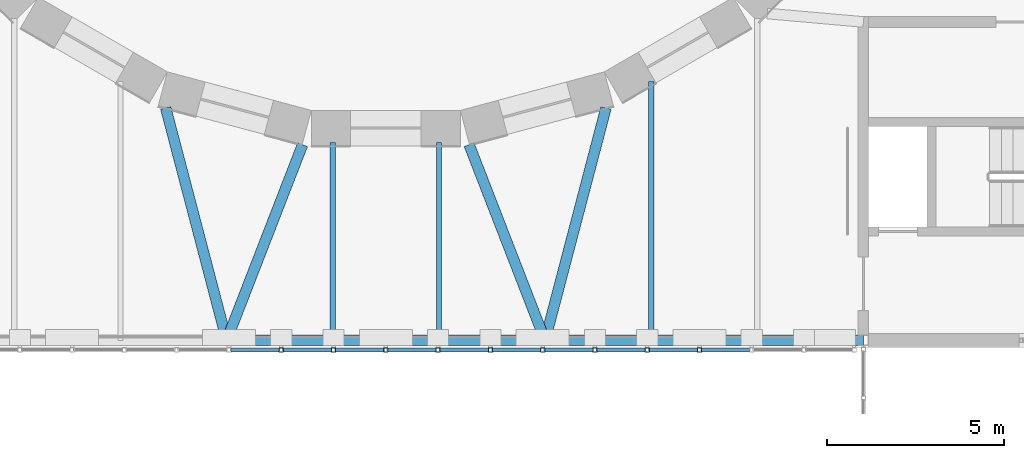
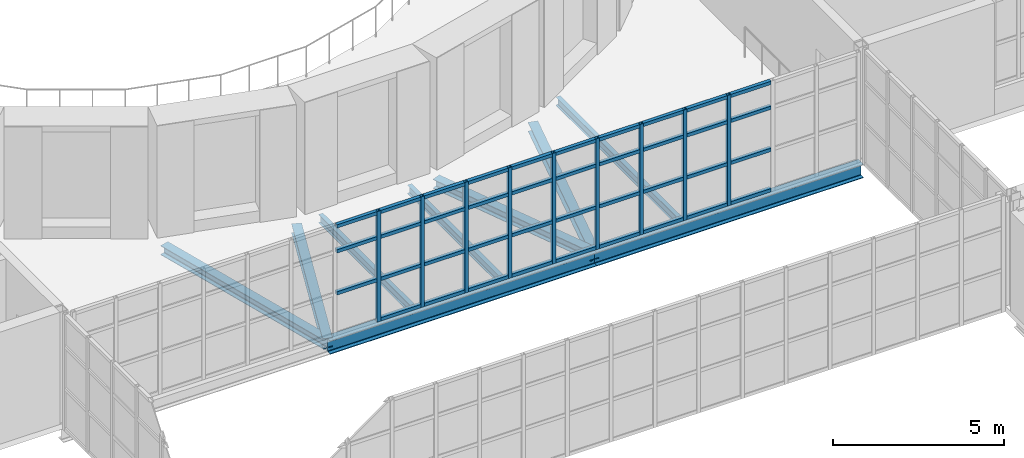
# One storey, part 43 of 154: 48 members, 9 beams, 1 element without a shape of its own.
"""IFC4 building model written with IfcOpenShell, lengths in metres."""

from ifc_helpers import new_model, si_unit, direction, frame, origin, origin_2d, place, context, subcontext, project, spatial, hollow_rectangle, i_section, extrude, material, material_profile, profile_set, type_object, element, aggregate, save


model = new_model("IFC4")

# Units and contexts
model_context = context("Model", 3, precision=1e-05, world=origin(), true_north=direction((0.0, 1.0)))
body_context = subcontext(model_context, "Body", "Model", "MODEL_VIEW")
ifc_project = project(units=[si_unit("LENGTHUNIT", "METRE"), si_unit("AREAUNIT", "SQUARE_METRE"), si_unit("VOLUMEUNIT", "CUBIC_METRE"), si_unit("PLANEANGLEUNIT", "RADIAN"), si_unit("MASSUNIT", "GRAM", prefix="KILO")], contexts=[model_context])

# Site, building, storey
site_placement = place(None, origin())
site = spatial("IfcSite", under=ifc_project, at=site_placement, CompositionType="ELEMENT")
building_placement = place(site_placement, origin())
building = spatial("IfcBuilding", under=site, at=building_placement, Name="Golden Quay Civic Hall", CompositionType="ELEMENT")
storey_placement = place(building_placement, frame((0.0, 0.0, 14.39990234375)))
storey = spatial("IfcBuildingStorey", under=building, at=storey_placement, Name="L03", CompositionType="ELEMENT", Elevation=14.39990234375)

# Beams
ifc_material_1 = material(Name="Steel S355", Category="steel")
ifc_material_profile_1 = material_profile(ifc_material_1, i_section(OverallWidth=0.300048828125, OverallDepth=0.330078125, WebThickness=0.009521484375, FlangeThickness=0.0166015625, FilletRadius=0.027099609375, at=origin_2d()), Name="HEA 340")
ifc_profile_set_1 = profile_set([ifc_material_profile_1], Name="Steel S355")
beam_type_1 = type_object("IfcBeamType", Name="Steel girder HEA 340", PredefinedType="BEAM", material=ifc_profile_set_1)
beam_1_placement = place(storey_placement, frame((81.0, 63.0, -0.414794921875), z_axis=(0.361685544291, 0.932300148585, 0.0), x_axis=(-0.932300148585, 0.361685544291, 0.0)))
element("IfcBeam", 1, at=beam_1_placement, inside=storey, type_object=beam_type_1, Name="Radial girder 1", PredefinedType="BEAM", context=body_context, shape_type="SweptSolid", body=[
    extrude(i_section(OverallWidth=0.300048828125, OverallDepth=0.330078125, WebThickness=0.009521484375, FlangeThickness=0.0166015625, FilletRadius=0.027099609375, at=origin_2d()), origin(), (0.0, 0.0, 1.0), 5.9326171875),
])
beam_2_placement = place(storey_placement, frame((81.0, 63.0, -0.414794921875), z_axis=(-0.253712688365, 0.967279624391, 0.0), x_axis=(-0.967279624391, -0.253712688365, 0.0)))
element("IfcBeam", 2, at=beam_2_placement, inside=storey, type_object=beam_type_1, Name="Radial girder 2", PredefinedType="BEAM", context=body_context, shape_type="SweptSolid", body=[
    extrude(i_section(OverallWidth=0.300048828125, OverallDepth=0.330078125, WebThickness=0.009521484375, FlangeThickness=0.0166015625, FilletRadius=0.027099609375, at=origin_2d()), origin(), (0.0, 0.0, 1.0), 6.789794921875),
])
beam_3_placement = place(storey_placement, frame((90.0, 63.0, -0.414794921875), z_axis=(-0.361685544291, 0.932300148585, 0.0), x_axis=(-0.932300148585, -0.361685544291, 0.0)))
element("IfcBeam", 3, at=beam_3_placement, inside=storey, type_object=beam_type_1, Name="Radial girder 3", PredefinedType="BEAM", context=body_context, shape_type="SweptSolid", body=[
    extrude(i_section(OverallWidth=0.300048828125, OverallDepth=0.330078125, WebThickness=0.009521484375, FlangeThickness=0.0166015625, FilletRadius=0.027099609375, at=origin_2d()), origin(), (0.0, 0.0, 1.0), 5.9326171875),
])
beam_4_placement = place(storey_placement, frame((90.0, 63.0, -0.414794921875), z_axis=(0.253712688365, 0.967279624391, 0.0), x_axis=(-0.967279624391, 0.253712688365, 0.0)))
element("IfcBeam", 4, at=beam_4_placement, inside=storey, type_object=beam_type_1, Name="Radial girder 4", PredefinedType="BEAM", context=body_context, shape_type="SweptSolid", body=[
    extrude(i_section(OverallWidth=0.300048828125, OverallDepth=0.330078125, WebThickness=0.009521484375, FlangeThickness=0.0166015625, FilletRadius=0.027099609375, at=origin_2d()), origin(), (0.0, 0.0, 1.0), 6.789794921875),
])
ifc_material_2 = material(Name="Steel S355", Category="steel")
ifc_material_profile_2 = material_profile(ifc_material_2, i_section(OverallWidth=0.300048828125, OverallDepth=0.489990234375, WebThickness=0.011962890625, FlangeThickness=0.02294921875, FilletRadius=0.027099609375, at=origin_2d()), Name="HEA 500")
ifc_profile_set_2 = profile_set([ifc_material_profile_2], Name="Steel S355")
beam_type_2 = type_object("IfcBeamType", Name="Steel girder HEA 500", PredefinedType="BEAM", material=ifc_profile_set_2)
for number, where, z_axis, x_axis, name in (
    (5, (81.0, 63.0, -0.494873046875), (1.0, 0.0, 0.0), (0.0, 1.0, 0.0), "Perimeter girder 5"),
    (6, (90.0, 63.0, -0.494873046875), (1.0, 0.0, 0.0), (0.0, 1.0, 0.0), "Perimeter girder 9"),
):
    element("IfcBeam", number, at=place(storey_placement, frame(where, z_axis=z_axis, x_axis=x_axis)), inside=storey, type_object=beam_type_2, Name=name, PredefinedType="BEAM", context=body_context, shape_type="SweptSolid", body=[
        extrude(i_section(OverallWidth=0.300048828125, OverallDepth=0.489990234375, WebThickness=0.011962890625, FlangeThickness=0.02294921875, FilletRadius=0.027099609375, at=origin_2d()), origin(), (0.0, 0.0, 1.0), 9.0),
    ])
ifc_material_3 = material(Name="Steel S355", Category="steel")
ifc_material_profile_3 = material_profile(ifc_material_3, i_section(OverallWidth=0.14990234375, OverallDepth=0.300048828125, WebThickness=0.007080078125, FlangeThickness=0.0107421875, FilletRadius=0.014892578125, at=origin_2d()), Name="IPE 300")
ifc_profile_set_3 = profile_set([ifc_material_profile_3], Name="Steel S355")
beam_type_3 = type_object("IfcBeamType", Name="Steel joist IPE 300", PredefinedType="JOIST", material=ifc_profile_set_3)
for number, where, z_axis, x_axis, name in (
    (7, (84.0, 63.0, -0.39990234375), (0.0, 1.0, 0.0), (-1.0, 0.0, 0.0), "Floor joist 3"),
    (8, (87.0, 63.0, -0.39990234375), (0.0, 1.0, 0.0), (-1.0, 0.0, 0.0), "Floor joist 4"),
):
    element("IfcBeam", number, at=place(storey_placement, frame(where, z_axis=z_axis, x_axis=x_axis)), inside=storey, type_object=beam_type_3, Name=name, PredefinedType="JOIST", context=body_context, shape_type="SweptSolid", body=[
        extrude(i_section(OverallWidth=0.14990234375, OverallDepth=0.300048828125, WebThickness=0.007080078125, FlangeThickness=0.0107421875, FilletRadius=0.014892578125, at=origin_2d()), origin(), (0.0, 0.0, 1.0), 5.60009765625),
    ])
beam_5_placement = place(storey_placement, frame((93.0, 63.0, -0.39990234375), z_axis=(0.0, 1.0, 0.0), x_axis=(-1.0, 0.0, 0.0)))
element("IfcBeam", 9, at=beam_5_placement, inside=storey, type_object=beam_type_3, Name="Floor joist 5", PredefinedType="JOIST", context=body_context, shape_type="SweptSolid", body=[
    extrude(i_section(OverallWidth=0.14990234375, OverallDepth=0.300048828125, WebThickness=0.007080078125, FlangeThickness=0.0107421875, FilletRadius=0.014892578125, at=origin_2d()), origin(), (0.0, 0.0, 1.0), 7.315673828125),
])

# Curtain wall, members
ifc_material_4 = material(Name="Glass and aluminium", Category="aluminium")
curtain_wall_type = type_object("IfcCurtainWallType", Name="Glazed curtain wall 1500 module", PredefinedType="NOTDEFINED", material=ifc_material_4)
curtain_wall_placement = place(storey_placement, origin())
curtain_wall = element("IfcCurtainWall", 10, at=curtain_wall_placement, inside=storey, type_object=curtain_wall_type, Name="CW1 curtain wall", PredefinedType="NOTDEFINED")
ifc_material_5 = material(Name="Steel S355", Category="steel")
ifc_material_profile_4 = material_profile(ifc_material_5, hollow_rectangle(XDim=0.1201171875, YDim=0.1201171875, WallThickness=0.008056640625, at=origin_2d()), Name="SHS 120x120x8")
ifc_profile_set_4 = profile_set([ifc_material_profile_4], Name="Steel S355")
member_type_1 = type_object("IfcMemberType", Name="Steel mullion SHS 120x120x8", PredefinedType="MULLION", material=ifc_profile_set_4)
member_1_placement = place(storey_placement, frame((82.54443359375, 62.72998046875, 0.0), z_axis=(0.0, 0.0, 1.0), x_axis=(0.0, 1.0, 0.0)))
member_1 = element("IfcMember", 11, at=member_1_placement, type_object=member_type_1, Name="CW1 mullion 8", PredefinedType="MULLION", context=body_context, shape_type="SweptSolid", body=[
    extrude(hollow_rectangle(XDim=0.1201171875, YDim=0.1201171875, WallThickness=0.008056640625, at=origin_2d()), origin(), (0.0, 0.0, 1.0), 3.9501953125),
])
member_2_placement = place(storey_placement, frame((84.022216796875, 62.72998046875, 0.0), z_axis=(0.0, 0.0, 1.0), x_axis=(0.0, 1.0, 0.0)))
member_2 = element("IfcMember", 12, at=member_2_placement, type_object=member_type_1, Name="CW1 mullion 9", PredefinedType="MULLION", context=body_context, shape_type="SweptSolid", body=[
    extrude(hollow_rectangle(XDim=0.1201171875, YDim=0.1201171875, WallThickness=0.008056640625, at=origin_2d()), origin(), (0.0, 0.0, 1.0), 3.9501953125),
])
member_3_placement = place(storey_placement, frame((85.5, 62.72998046875, 0.0), z_axis=(0.0, 0.0, 1.0), x_axis=(0.0, 1.0, 0.0)))
member_3 = element("IfcMember", 13, at=member_3_placement, type_object=member_type_1, Name="CW1 mullion 10", PredefinedType="MULLION", context=body_context, shape_type="SweptSolid", body=[
    extrude(hollow_rectangle(XDim=0.1201171875, YDim=0.1201171875, WallThickness=0.008056640625, at=origin_2d()), origin(), (0.0, 0.0, 1.0), 3.9501953125),
])
member_4_placement = place(storey_placement, frame((86.977783203125, 62.72998046875, 0.0), z_axis=(0.0, 0.0, 1.0), x_axis=(0.0, 1.0, 0.0)))
member_4 = element("IfcMember", 14, at=member_4_placement, type_object=member_type_1, Name="CW1 mullion 11", PredefinedType="MULLION", context=body_context, shape_type="SweptSolid", body=[
    extrude(hollow_rectangle(XDim=0.1201171875, YDim=0.1201171875, WallThickness=0.008056640625, at=origin_2d()), origin(), (0.0, 0.0, 1.0), 3.9501953125),
])
member_5_placement = place(storey_placement, frame((88.45556640625, 62.72998046875, 0.0), z_axis=(0.0, 0.0, 1.0), x_axis=(0.0, 1.0, 0.0)))
member_5 = element("IfcMember", 15, at=member_5_placement, type_object=member_type_1, Name="CW1 mullion 12", PredefinedType="MULLION", context=body_context, shape_type="SweptSolid", body=[
    extrude(hollow_rectangle(XDim=0.1201171875, YDim=0.1201171875, WallThickness=0.008056640625, at=origin_2d()), origin(), (0.0, 0.0, 1.0), 3.9501953125),
])
member_6_placement = place(storey_placement, frame((89.933349609375, 62.72998046875, 0.0), z_axis=(0.0, 0.0, 1.0), x_axis=(0.0, 1.0, 0.0)))
member_6 = element("IfcMember", 16, at=member_6_placement, type_object=member_type_1, Name="CW1 mullion 13", PredefinedType="MULLION", context=body_context, shape_type="SweptSolid", body=[
    extrude(hollow_rectangle(XDim=0.1201171875, YDim=0.1201171875, WallThickness=0.008056640625, at=origin_2d()), origin(), (0.0, 0.0, 1.0), 3.9501953125),
])
member_7_placement = place(storey_placement, frame((91.4111328125, 62.72998046875, 0.0), z_axis=(0.0, 0.0, 1.0), x_axis=(0.0, 1.0, 0.0)))
member_7 = element("IfcMember", 17, at=member_7_placement, type_object=member_type_1, Name="CW1 mullion 14", PredefinedType="MULLION", context=body_context, shape_type="SweptSolid", body=[
    extrude(hollow_rectangle(XDim=0.1201171875, YDim=0.1201171875, WallThickness=0.008056640625, at=origin_2d()), origin(), (0.0, 0.0, 1.0), 3.9501953125),
])
member_8_placement = place(storey_placement, frame((92.888916015625, 62.72998046875, 0.0), z_axis=(0.0, 0.0, 1.0), x_axis=(0.0, 1.0, 0.0)))
member_8 = element("IfcMember", 18, at=member_8_placement, type_object=member_type_1, Name="CW1 mullion 15", PredefinedType="MULLION", context=body_context, shape_type="SweptSolid", body=[
    extrude(hollow_rectangle(XDim=0.1201171875, YDim=0.1201171875, WallThickness=0.008056640625, at=origin_2d()), origin(), (0.0, 0.0, 1.0), 3.9501953125),
])
member_9_placement = place(storey_placement, frame((94.36669921875, 62.72998046875, 0.0), z_axis=(0.0, 0.0, 1.0), x_axis=(0.0, 1.0, 0.0)))
member_9 = element("IfcMember", 19, at=member_9_placement, type_object=member_type_1, Name="CW1 mullion 16", PredefinedType="MULLION", context=body_context, shape_type="SweptSolid", body=[
    extrude(hollow_rectangle(XDim=0.1201171875, YDim=0.1201171875, WallThickness=0.008056640625, at=origin_2d()), origin(), (0.0, 0.0, 1.0), 3.9501953125),
])
ifc_material_6 = material(Name="Steel S355", Category="steel")
ifc_material_profile_5 = material_profile(ifc_material_6, hollow_rectangle(XDim=0.1201171875, YDim=0.1201171875, WallThickness=0.008056640625, at=origin_2d()), Name="SHS 120x120x8")
ifc_profile_set_5 = profile_set([ifc_material_profile_5], Name="Steel S355")
member_type_2 = type_object("IfcMemberType", Name="Steel transom SHS 120x120x8", PredefinedType="USERDEFINED", material=ifc_profile_set_5)
member_10_placement = place(storey_placement, frame((81.126708984375, 62.72998046875, 1.5), z_axis=(1.0, 0.0, 0.0), x_axis=(0.0, 1.0, 0.0)))
member_10 = element("IfcMember", 20, at=member_10_placement, type_object=member_type_2, Name="CW1 transom 7.2", ObjectType="TRANSOM", PredefinedType="USERDEFINED", context=body_context, shape_type="SweptSolid", body=[
    extrude(hollow_rectangle(XDim=0.1201171875, YDim=0.1201171875, WallThickness=0.008056640625, at=origin_2d()), origin(), (0.0, 0.0, 1.0), 1.357666015625),
])
member_11_placement = place(storey_placement, frame((81.126708984375, 62.72998046875, 3.0), z_axis=(1.0, 0.0, 0.0), x_axis=(0.0, 1.0, 0.0)))
member_11 = element("IfcMember", 21, at=member_11_placement, type_object=member_type_2, Name="CW1 transom 7.3", ObjectType="TRANSOM", PredefinedType="USERDEFINED", context=body_context, shape_type="SweptSolid", body=[
    extrude(hollow_rectangle(XDim=0.1201171875, YDim=0.1201171875, WallThickness=0.008056640625, at=origin_2d()), origin(), (0.0, 0.0, 1.0), 1.357666015625),
])
member_12_placement = place(storey_placement, frame((81.126708984375, 62.72998046875, 3.89013671875), z_axis=(1.0, 0.0, 0.0), x_axis=(0.0, 1.0, 0.0)))
member_12 = element("IfcMember", 22, at=member_12_placement, type_object=member_type_2, Name="CW1 transom 7.4", ObjectType="TRANSOM", PredefinedType="USERDEFINED", context=body_context, shape_type="SweptSolid", body=[
    extrude(hollow_rectangle(XDim=0.1201171875, YDim=0.1201171875, WallThickness=0.008056640625, at=origin_2d()), origin(), (0.0, 0.0, 1.0), 1.357666015625),
])
member_13_placement = place(storey_placement, frame((82.6044921875, 62.72998046875, 0.06005859375), z_axis=(1.0, 0.0, 0.0), x_axis=(0.0, 1.0, 0.0)))
member_13 = element("IfcMember", 23, at=member_13_placement, type_object=member_type_2, Name="CW1 transom 8.1", ObjectType="TRANSOM", PredefinedType="USERDEFINED", context=body_context, shape_type="SweptSolid", body=[
    extrude(hollow_rectangle(XDim=0.1201171875, YDim=0.1201171875, WallThickness=0.008056640625, at=origin_2d()), origin(), (0.0, 0.0, 1.0), 1.357666015625),
])
member_14_placement = place(storey_placement, frame((82.6044921875, 62.72998046875, 1.5), z_axis=(1.0, 0.0, 0.0), x_axis=(0.0, 1.0, 0.0)))
member_14 = element("IfcMember", 24, at=member_14_placement, type_object=member_type_2, Name="CW1 transom 8.2", ObjectType="TRANSOM", PredefinedType="USERDEFINED", context=body_context, shape_type="SweptSolid", body=[
    extrude(hollow_rectangle(XDim=0.1201171875, YDim=0.1201171875, WallThickness=0.008056640625, at=origin_2d()), origin(), (0.0, 0.0, 1.0), 1.357666015625),
])
member_15_placement = place(storey_placement, frame((82.6044921875, 62.72998046875, 3.0), z_axis=(1.0, 0.0, 0.0), x_axis=(0.0, 1.0, 0.0)))
member_15 = element("IfcMember", 25, at=member_15_placement, type_object=member_type_2, Name="CW1 transom 8.3", ObjectType="TRANSOM", PredefinedType="USERDEFINED", context=body_context, shape_type="SweptSolid", body=[
    extrude(hollow_rectangle(XDim=0.1201171875, YDim=0.1201171875, WallThickness=0.008056640625, at=origin_2d()), origin(), (0.0, 0.0, 1.0), 1.357666015625),
])
member_16_placement = place(storey_placement, frame((82.6044921875, 62.72998046875, 3.89013671875), z_axis=(1.0, 0.0, 0.0), x_axis=(0.0, 1.0, 0.0)))
member_16 = element("IfcMember", 26, at=member_16_placement, type_object=member_type_2, Name="CW1 transom 8.4", ObjectType="TRANSOM", PredefinedType="USERDEFINED", context=body_context, shape_type="SweptSolid", body=[
    extrude(hollow_rectangle(XDim=0.1201171875, YDim=0.1201171875, WallThickness=0.008056640625, at=origin_2d()), origin(), (0.0, 0.0, 1.0), 1.357666015625),
])
member_17_placement = place(storey_placement, frame((84.082275390625, 62.72998046875, 0.06005859375), z_axis=(1.0, 0.0, 0.0), x_axis=(0.0, 1.0, 0.0)))
member_17 = element("IfcMember", 27, at=member_17_placement, type_object=member_type_2, Name="CW1 transom 9.1", ObjectType="TRANSOM", PredefinedType="USERDEFINED", context=body_context, shape_type="SweptSolid", body=[
    extrude(hollow_rectangle(XDim=0.1201171875, YDim=0.1201171875, WallThickness=0.008056640625, at=origin_2d()), origin(), (0.0, 0.0, 1.0), 1.357666015625),
])
member_18_placement = place(storey_placement, frame((84.082275390625, 62.72998046875, 1.5), z_axis=(1.0, 0.0, 0.0), x_axis=(0.0, 1.0, 0.0)))
member_18 = element("IfcMember", 28, at=member_18_placement, type_object=member_type_2, Name="CW1 transom 9.2", ObjectType="TRANSOM", PredefinedType="USERDEFINED", context=body_context, shape_type="SweptSolid", body=[
    extrude(hollow_rectangle(XDim=0.1201171875, YDim=0.1201171875, WallThickness=0.008056640625, at=origin_2d()), origin(), (0.0, 0.0, 1.0), 1.357666015625),
])
member_19_placement = place(storey_placement, frame((84.082275390625, 62.72998046875, 3.0), z_axis=(1.0, 0.0, 0.0), x_axis=(0.0, 1.0, 0.0)))
member_19 = element("IfcMember", 29, at=member_19_placement, type_object=member_type_2, Name="CW1 transom 9.3", ObjectType="TRANSOM", PredefinedType="USERDEFINED", context=body_context, shape_type="SweptSolid", body=[
    extrude(hollow_rectangle(XDim=0.1201171875, YDim=0.1201171875, WallThickness=0.008056640625, at=origin_2d()), origin(), (0.0, 0.0, 1.0), 1.357666015625),
])
member_20_placement = place(storey_placement, frame((84.082275390625, 62.72998046875, 3.89013671875), z_axis=(1.0, 0.0, 0.0), x_axis=(0.0, 1.0, 0.0)))
member_20 = element("IfcMember", 30, at=member_20_placement, type_object=member_type_2, Name="CW1 transom 9.4", ObjectType="TRANSOM", PredefinedType="USERDEFINED", context=body_context, shape_type="SweptSolid", body=[
    extrude(hollow_rectangle(XDim=0.1201171875, YDim=0.1201171875, WallThickness=0.008056640625, at=origin_2d()), origin(), (0.0, 0.0, 1.0), 1.357666015625),
])
member_21_placement = place(storey_placement, frame((85.56005859375, 62.72998046875, 0.06005859375), z_axis=(1.0, 0.0, 0.0), x_axis=(0.0, 1.0, 0.0)))
member_21 = element("IfcMember", 31, at=member_21_placement, type_object=member_type_2, Name="CW1 transom 10.1", ObjectType="TRANSOM", PredefinedType="USERDEFINED", context=body_context, shape_type="SweptSolid", body=[
    extrude(hollow_rectangle(XDim=0.1201171875, YDim=0.1201171875, WallThickness=0.008056640625, at=origin_2d()), origin(), (0.0, 0.0, 1.0), 1.357666015625),
])
member_22_placement = place(storey_placement, frame((85.56005859375, 62.72998046875, 1.5), z_axis=(1.0, 0.0, 0.0), x_axis=(0.0, 1.0, 0.0)))
member_22 = element("IfcMember", 32, at=member_22_placement, type_object=member_type_2, Name="CW1 transom 10.2", ObjectType="TRANSOM", PredefinedType="USERDEFINED", context=body_context, shape_type="SweptSolid", body=[
    extrude(hollow_rectangle(XDim=0.1201171875, YDim=0.1201171875, WallThickness=0.008056640625, at=origin_2d()), origin(), (0.0, 0.0, 1.0), 1.357666015625),
])
member_23_placement = place(storey_placement, frame((85.56005859375, 62.72998046875, 3.0), z_axis=(1.0, 0.0, 0.0), x_axis=(0.0, 1.0, 0.0)))
member_23 = element("IfcMember", 33, at=member_23_placement, type_object=member_type_2, Name="CW1 transom 10.3", ObjectType="TRANSOM", PredefinedType="USERDEFINED", context=body_context, shape_type="SweptSolid", body=[
    extrude(hollow_rectangle(XDim=0.1201171875, YDim=0.1201171875, WallThickness=0.008056640625, at=origin_2d()), origin(), (0.0, 0.0, 1.0), 1.357666015625),
])
member_24_placement = place(storey_placement, frame((85.56005859375, 62.72998046875, 3.89013671875), z_axis=(1.0, 0.0, 0.0), x_axis=(0.0, 1.0, 0.0)))
member_24 = element("IfcMember", 34, at=member_24_placement, type_object=member_type_2, Name="CW1 transom 10.4", ObjectType="TRANSOM", PredefinedType="USERDEFINED", context=body_context, shape_type="SweptSolid", body=[
    extrude(hollow_rectangle(XDim=0.1201171875, YDim=0.1201171875, WallThickness=0.008056640625, at=origin_2d()), origin(), (0.0, 0.0, 1.0), 1.357666015625),
])
member_25_placement = place(storey_placement, frame((87.037841796875, 62.72998046875, 0.06005859375), z_axis=(1.0, 0.0, 0.0), x_axis=(0.0, 1.0, 0.0)))
member_25 = element("IfcMember", 35, at=member_25_placement, type_object=member_type_2, Name="CW1 transom 11.1", ObjectType="TRANSOM", PredefinedType="USERDEFINED", context=body_context, shape_type="SweptSolid", body=[
    extrude(hollow_rectangle(XDim=0.1201171875, YDim=0.1201171875, WallThickness=0.008056640625, at=origin_2d()), origin(), (0.0, 0.0, 1.0), 1.357666015625),
])
member_26_placement = place(storey_placement, frame((87.037841796875, 62.72998046875, 1.5), z_axis=(1.0, 0.0, 0.0), x_axis=(0.0, 1.0, 0.0)))
member_26 = element("IfcMember", 36, at=member_26_placement, type_object=member_type_2, Name="CW1 transom 11.2", ObjectType="TRANSOM", PredefinedType="USERDEFINED", context=body_context, shape_type="SweptSolid", body=[
    extrude(hollow_rectangle(XDim=0.1201171875, YDim=0.1201171875, WallThickness=0.008056640625, at=origin_2d()), origin(), (0.0, 0.0, 1.0), 1.357666015625),
])
member_27_placement = place(storey_placement, frame((87.037841796875, 62.72998046875, 3.0), z_axis=(1.0, 0.0, 0.0), x_axis=(0.0, 1.0, 0.0)))
member_27 = element("IfcMember", 37, at=member_27_placement, type_object=member_type_2, Name="CW1 transom 11.3", ObjectType="TRANSOM", PredefinedType="USERDEFINED", context=body_context, shape_type="SweptSolid", body=[
    extrude(hollow_rectangle(XDim=0.1201171875, YDim=0.1201171875, WallThickness=0.008056640625, at=origin_2d()), origin(), (0.0, 0.0, 1.0), 1.357666015625),
])
member_28_placement = place(storey_placement, frame((87.037841796875, 62.72998046875, 3.89013671875), z_axis=(1.0, 0.0, 0.0), x_axis=(0.0, 1.0, 0.0)))
member_28 = element("IfcMember", 38, at=member_28_placement, type_object=member_type_2, Name="CW1 transom 11.4", ObjectType="TRANSOM", PredefinedType="USERDEFINED", context=body_context, shape_type="SweptSolid", body=[
    extrude(hollow_rectangle(XDim=0.1201171875, YDim=0.1201171875, WallThickness=0.008056640625, at=origin_2d()), origin(), (0.0, 0.0, 1.0), 1.357666015625),
])
member_29_placement = place(storey_placement, frame((88.515625, 62.72998046875, 0.06005859375), z_axis=(1.0, 0.0, 0.0), x_axis=(0.0, 1.0, 0.0)))
member_29 = element("IfcMember", 39, at=member_29_placement, type_object=member_type_2, Name="CW1 transom 12.1", ObjectType="TRANSOM", PredefinedType="USERDEFINED", context=body_context, shape_type="SweptSolid", body=[
    extrude(hollow_rectangle(XDim=0.1201171875, YDim=0.1201171875, WallThickness=0.008056640625, at=origin_2d()), origin(), (0.0, 0.0, 1.0), 1.357666015625),
])
member_30_placement = place(storey_placement, frame((88.515625, 62.72998046875, 1.5), z_axis=(1.0, 0.0, 0.0), x_axis=(0.0, 1.0, 0.0)))
member_30 = element("IfcMember", 40, at=member_30_placement, type_object=member_type_2, Name="CW1 transom 12.2", ObjectType="TRANSOM", PredefinedType="USERDEFINED", context=body_context, shape_type="SweptSolid", body=[
    extrude(hollow_rectangle(XDim=0.1201171875, YDim=0.1201171875, WallThickness=0.008056640625, at=origin_2d()), origin(), (0.0, 0.0, 1.0), 1.357666015625),
])
member_31_placement = place(storey_placement, frame((88.515625, 62.72998046875, 3.0), z_axis=(1.0, 0.0, 0.0), x_axis=(0.0, 1.0, 0.0)))
member_31 = element("IfcMember", 41, at=member_31_placement, type_object=member_type_2, Name="CW1 transom 12.3", ObjectType="TRANSOM", PredefinedType="USERDEFINED", context=body_context, shape_type="SweptSolid", body=[
    extrude(hollow_rectangle(XDim=0.1201171875, YDim=0.1201171875, WallThickness=0.008056640625, at=origin_2d()), origin(), (0.0, 0.0, 1.0), 1.357666015625),
])
member_32_placement = place(storey_placement, frame((88.515625, 62.72998046875, 3.89013671875), z_axis=(1.0, 0.0, 0.0), x_axis=(0.0, 1.0, 0.0)))
member_32 = element("IfcMember", 42, at=member_32_placement, type_object=member_type_2, Name="CW1 transom 12.4", ObjectType="TRANSOM", PredefinedType="USERDEFINED", context=body_context, shape_type="SweptSolid", body=[
    extrude(hollow_rectangle(XDim=0.1201171875, YDim=0.1201171875, WallThickness=0.008056640625, at=origin_2d()), origin(), (0.0, 0.0, 1.0), 1.357666015625),
])
member_33_placement = place(storey_placement, frame((89.993408203125, 62.72998046875, 0.06005859375), z_axis=(1.0, 0.0, 0.0), x_axis=(0.0, 1.0, 0.0)))
member_33 = element("IfcMember", 43, at=member_33_placement, type_object=member_type_2, Name="CW1 transom 13.1", ObjectType="TRANSOM", PredefinedType="USERDEFINED", context=body_context, shape_type="SweptSolid", body=[
    extrude(hollow_rectangle(XDim=0.1201171875, YDim=0.1201171875, WallThickness=0.008056640625, at=origin_2d()), origin(), (0.0, 0.0, 1.0), 1.357666015625),
])
member_34_placement = place(storey_placement, frame((89.993408203125, 62.72998046875, 1.5), z_axis=(1.0, 0.0, 0.0), x_axis=(0.0, 1.0, 0.0)))
member_34 = element("IfcMember", 44, at=member_34_placement, type_object=member_type_2, Name="CW1 transom 13.2", ObjectType="TRANSOM", PredefinedType="USERDEFINED", context=body_context, shape_type="SweptSolid", body=[
    extrude(hollow_rectangle(XDim=0.1201171875, YDim=0.1201171875, WallThickness=0.008056640625, at=origin_2d()), origin(), (0.0, 0.0, 1.0), 1.357666015625),
])
member_35_placement = place(storey_placement, frame((89.993408203125, 62.72998046875, 3.0), z_axis=(1.0, 0.0, 0.0), x_axis=(0.0, 1.0, 0.0)))
member_35 = element("IfcMember", 45, at=member_35_placement, type_object=member_type_2, Name="CW1 transom 13.3", ObjectType="TRANSOM", PredefinedType="USERDEFINED", context=body_context, shape_type="SweptSolid", body=[
    extrude(hollow_rectangle(XDim=0.1201171875, YDim=0.1201171875, WallThickness=0.008056640625, at=origin_2d()), origin(), (0.0, 0.0, 1.0), 1.357666015625),
])
member_36_placement = place(storey_placement, frame((89.993408203125, 62.72998046875, 3.89013671875), z_axis=(1.0, 0.0, 0.0), x_axis=(0.0, 1.0, 0.0)))
member_36 = element("IfcMember", 46, at=member_36_placement, type_object=member_type_2, Name="CW1 transom 13.4", ObjectType="TRANSOM", PredefinedType="USERDEFINED", context=body_context, shape_type="SweptSolid", body=[
    extrude(hollow_rectangle(XDim=0.1201171875, YDim=0.1201171875, WallThickness=0.008056640625, at=origin_2d()), origin(), (0.0, 0.0, 1.0), 1.357666015625),
])
member_37_placement = place(storey_placement, frame((91.47119140625, 62.72998046875, 0.06005859375), z_axis=(1.0, 0.0, 0.0), x_axis=(0.0, 1.0, 0.0)))
member_37 = element("IfcMember", 47, at=member_37_placement, type_object=member_type_2, Name="CW1 transom 14.1", ObjectType="TRANSOM", PredefinedType="USERDEFINED", context=body_context, shape_type="SweptSolid", body=[
    extrude(hollow_rectangle(XDim=0.1201171875, YDim=0.1201171875, WallThickness=0.008056640625, at=origin_2d()), origin(), (0.0, 0.0, 1.0), 1.357666015625),
])
member_38_placement = place(storey_placement, frame((91.47119140625, 62.72998046875, 1.5), z_axis=(1.0, 0.0, 0.0), x_axis=(0.0, 1.0, 0.0)))
member_38 = element("IfcMember", 48, at=member_38_placement, type_object=member_type_2, Name="CW1 transom 14.2", ObjectType="TRANSOM", PredefinedType="USERDEFINED", context=body_context, shape_type="SweptSolid", body=[
    extrude(hollow_rectangle(XDim=0.1201171875, YDim=0.1201171875, WallThickness=0.008056640625, at=origin_2d()), origin(), (0.0, 0.0, 1.0), 1.357666015625),
])
member_39_placement = place(storey_placement, frame((91.47119140625, 62.72998046875, 3.0), z_axis=(1.0, 0.0, 0.0), x_axis=(0.0, 1.0, 0.0)))
member_39 = element("IfcMember", 49, at=member_39_placement, type_object=member_type_2, Name="CW1 transom 14.3", ObjectType="TRANSOM", PredefinedType="USERDEFINED", context=body_context, shape_type="SweptSolid", body=[
    extrude(hollow_rectangle(XDim=0.1201171875, YDim=0.1201171875, WallThickness=0.008056640625, at=origin_2d()), origin(), (0.0, 0.0, 1.0), 1.357666015625),
])
member_40_placement = place(storey_placement, frame((91.47119140625, 62.72998046875, 3.89013671875), z_axis=(1.0, 0.0, 0.0), x_axis=(0.0, 1.0, 0.0)))
member_40 = element("IfcMember", 50, at=member_40_placement, type_object=member_type_2, Name="CW1 transom 14.4", ObjectType="TRANSOM", PredefinedType="USERDEFINED", context=body_context, shape_type="SweptSolid", body=[
    extrude(hollow_rectangle(XDim=0.1201171875, YDim=0.1201171875, WallThickness=0.008056640625, at=origin_2d()), origin(), (0.0, 0.0, 1.0), 1.357666015625),
])
member_41_placement = place(storey_placement, frame((92.948974609375, 62.72998046875, 0.06005859375), z_axis=(1.0, 0.0, 0.0), x_axis=(0.0, 1.0, 0.0)))
member_41 = element("IfcMember", 51, at=member_41_placement, type_object=member_type_2, Name="CW1 transom 15.1", ObjectType="TRANSOM", PredefinedType="USERDEFINED", context=body_context, shape_type="SweptSolid", body=[
    extrude(hollow_rectangle(XDim=0.1201171875, YDim=0.1201171875, WallThickness=0.008056640625, at=origin_2d()), origin(), (0.0, 0.0, 1.0), 1.357666015625),
])
member_42_placement = place(storey_placement, frame((92.948974609375, 62.72998046875, 1.5), z_axis=(1.0, 0.0, 0.0), x_axis=(0.0, 1.0, 0.0)))
member_42 = element("IfcMember", 52, at=member_42_placement, type_object=member_type_2, Name="CW1 transom 15.2", ObjectType="TRANSOM", PredefinedType="USERDEFINED", context=body_context, shape_type="SweptSolid", body=[
    extrude(hollow_rectangle(XDim=0.1201171875, YDim=0.1201171875, WallThickness=0.008056640625, at=origin_2d()), origin(), (0.0, 0.0, 1.0), 1.357666015625),
])
member_43_placement = place(storey_placement, frame((92.948974609375, 62.72998046875, 3.0), z_axis=(1.0, 0.0, 0.0), x_axis=(0.0, 1.0, 0.0)))
member_43 = element("IfcMember", 53, at=member_43_placement, type_object=member_type_2, Name="CW1 transom 15.3", ObjectType="TRANSOM", PredefinedType="USERDEFINED", context=body_context, shape_type="SweptSolid", body=[
    extrude(hollow_rectangle(XDim=0.1201171875, YDim=0.1201171875, WallThickness=0.008056640625, at=origin_2d()), origin(), (0.0, 0.0, 1.0), 1.357666015625),
])
member_44_placement = place(storey_placement, frame((92.948974609375, 62.72998046875, 3.89013671875), z_axis=(1.0, 0.0, 0.0), x_axis=(0.0, 1.0, 0.0)))
member_44 = element("IfcMember", 54, at=member_44_placement, type_object=member_type_2, Name="CW1 transom 15.4", ObjectType="TRANSOM", PredefinedType="USERDEFINED", context=body_context, shape_type="SweptSolid", body=[
    extrude(hollow_rectangle(XDim=0.1201171875, YDim=0.1201171875, WallThickness=0.008056640625, at=origin_2d()), origin(), (0.0, 0.0, 1.0), 1.357666015625),
])
member_45_placement = place(storey_placement, frame((94.4267578125, 62.72998046875, 0.06005859375), z_axis=(1.0, 0.0, 0.0), x_axis=(0.0, 1.0, 0.0)))
member_45 = element("IfcMember", 55, at=member_45_placement, type_object=member_type_2, Name="CW1 transom 16.1", ObjectType="TRANSOM", PredefinedType="USERDEFINED", context=body_context, shape_type="SweptSolid", body=[
    extrude(hollow_rectangle(XDim=0.1201171875, YDim=0.1201171875, WallThickness=0.008056640625, at=origin_2d()), origin(), (0.0, 0.0, 1.0), 1.357666015625),
])
member_46_placement = place(storey_placement, frame((94.4267578125, 62.72998046875, 1.5), z_axis=(1.0, 0.0, 0.0), x_axis=(0.0, 1.0, 0.0)))
member_46 = element("IfcMember", 56, at=member_46_placement, type_object=member_type_2, Name="CW1 transom 16.2", ObjectType="TRANSOM", PredefinedType="USERDEFINED", context=body_context, shape_type="SweptSolid", body=[
    extrude(hollow_rectangle(XDim=0.1201171875, YDim=0.1201171875, WallThickness=0.008056640625, at=origin_2d()), origin(), (0.0, 0.0, 1.0), 1.357666015625),
])
member_47_placement = place(storey_placement, frame((94.4267578125, 62.72998046875, 3.0), z_axis=(1.0, 0.0, 0.0), x_axis=(0.0, 1.0, 0.0)))
member_47 = element("IfcMember", 57, at=member_47_placement, type_object=member_type_2, Name="CW1 transom 16.3", ObjectType="TRANSOM", PredefinedType="USERDEFINED", context=body_context, shape_type="SweptSolid", body=[
    extrude(hollow_rectangle(XDim=0.1201171875, YDim=0.1201171875, WallThickness=0.008056640625, at=origin_2d()), origin(), (0.0, 0.0, 1.0), 1.357666015625),
])
member_48_placement = place(storey_placement, frame((94.4267578125, 62.72998046875, 3.89013671875), z_axis=(1.0, 0.0, 0.0), x_axis=(0.0, 1.0, 0.0)))
member_48 = element("IfcMember", 58, at=member_48_placement, type_object=member_type_2, Name="CW1 transom 16.4", ObjectType="TRANSOM", PredefinedType="USERDEFINED", context=body_context, shape_type="SweptSolid", body=[
    extrude(hollow_rectangle(XDim=0.1201171875, YDim=0.1201171875, WallThickness=0.008056640625, at=origin_2d()), origin(), (0.0, 0.0, 1.0), 1.357666015625),
])
aggregate(curtain_wall, [member_1, member_2, member_3, member_4, member_5, member_6, member_7, member_8, member_9, member_10, member_11, member_12, member_13, member_14, member_15, member_16, member_17, member_18, member_19, member_20, member_21, member_22, member_23, member_24, member_25, member_26, member_27, member_28, member_29, member_30, member_31, member_32, member_33, member_34, member_35, member_36, member_37, member_38, member_39, member_40, member_41, member_42, member_43, member_44, member_45, member_46, member_47, member_48])

save(model, "model.ifc")
